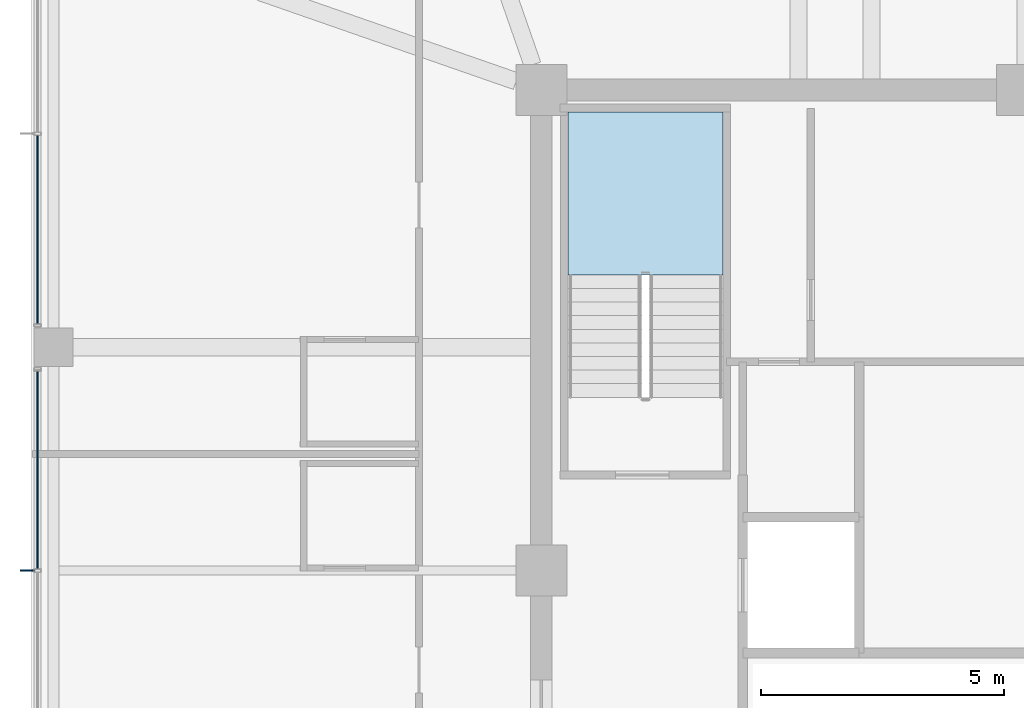
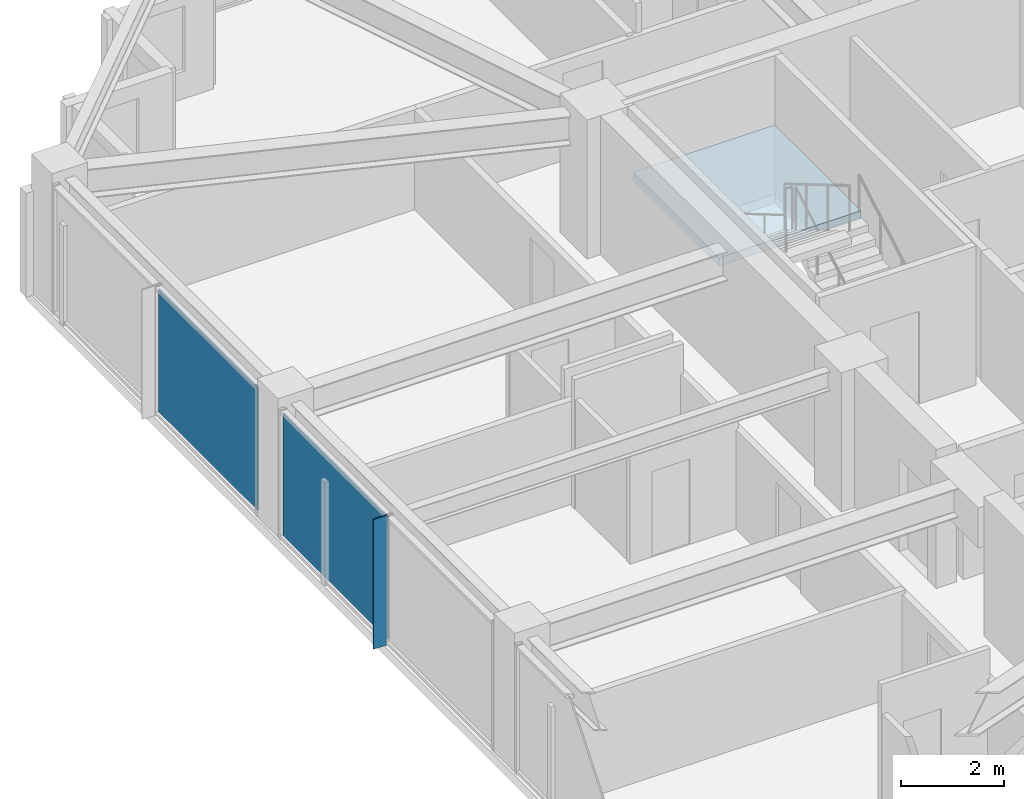
# One storey, part 25 of 36: 3 plates, 1 slab, 3 elements without a shape of their own.
"""IFC4 building model written with IfcOpenShell, lengths in metres."""

from ifc_helpers import new_model, si_unit, direction, frame, origin, origin_2d, place, context, subcontext, project, spatial, polyline, rectangle, outline, extrude, material, layer, layer_set, type_object, element, aggregate, save


model = new_model("IFC4")

# Units and contexts
model_context = context("Model", 3, precision=1e-05, world=origin(), true_north=direction((0.0, 1.0)))
body_context = subcontext(model_context, "Body", "Model", "MODEL_VIEW")
ifc_project = project(units=[si_unit("LENGTHUNIT", "METRE"), si_unit("AREAUNIT", "SQUARE_METRE"), si_unit("VOLUMEUNIT", "CUBIC_METRE"), si_unit("PLANEANGLEUNIT", "RADIAN"), si_unit("MASSUNIT", "GRAM", prefix="KILO")], contexts=[model_context])

# Site, building, storey
site_placement = place(None, origin())
site = spatial("IfcSite", under=ifc_project, at=site_placement, CompositionType="ELEMENT")
building_placement = place(site_placement, origin())
building = spatial("IfcBuilding", under=site, at=building_placement, Name="Kolvaren Belvedere", CompositionType="ELEMENT")
storey_placement = place(building_placement, frame((0.0, 0.0, 226.199951171875)))
storey = spatial("IfcBuildingStorey", under=building, at=storey_placement, Name="L66", CompositionType="ELEMENT", Elevation=226.199951171875)

# Curtain wall, plate
ifc_material_1 = material(Name="Anodised pale-metal aluminium AA 6063-T6", Category="aluminium")
curtain_wall_type = type_object("IfcCurtainWallType", Name="CW-Z5-HIGH", PredefinedType="NOTDEFINED", material=ifc_material_1)
curtain_wall_1_placement = place(storey_placement, origin())
curtain_wall_1 = element("IfcCurtainWall", 1, at=curtain_wall_1_placement, inside=storey, type_object=curtain_wall_type, Name="L66 Unitised Curtain Wall FCW-L66-W-B2", PredefinedType="NOTDEFINED")
ifc_material_2 = material(Name="Low-iron triple insulated glass", Category="glass")
ifc_layer_1 = layer(ifc_material_2, 0.028076171875)
ifc_layer_set_1 = layer_set([ifc_layer_1], Name="Low-iron triple insulated glass")
plate_type_1 = type_object("IfcPlateType", Name="CW-PNL-VIS28", PredefinedType="CURTAIN_PANEL", material=ifc_layer_set_1)
plate_1_placement = place(storey_placement, frame((-20.280029296875, 2.072509765625, 0.080078125), z_axis=(0.0, 0.0, 1.0), x_axis=(0.0, 1.0, 0.0)))
plate_1 = element("IfcPlate", 2, at=plate_1_placement, type_object=plate_type_1, Name="FCW-L66-W-B2 Vision Glazing Panel 2", PredefinedType="CURTAIN_PANEL", context=body_context, shape_type="SweptSolid", body=[
    extrude(rectangle(XDim=4.06494140625, YDim=0.028076171875, at=origin_2d()), origin(), (0.0, 0.0, 1.0), 2.919921875),
])
aggregate(curtain_wall_1, [plate_1])

curtain_wall_2_placement = place(storey_placement, origin())
curtain_wall_2 = element("IfcCurtainWall", 3, at=curtain_wall_2_placement, inside=storey, type_object=curtain_wall_type, Name="L66 Unitised Curtain Wall FCW-L66-W-B3", PredefinedType="NOTDEFINED")
plate_2_placement = place(storey_placement, frame((-20.280029296875, 7.027587890625, 0.080078125), z_axis=(0.0, 0.0, 1.0), x_axis=(0.0, 1.0, 0.0)))
plate_2 = element("IfcPlate", 4, at=plate_2_placement, type_object=plate_type_1, Name="FCW-L66-W-B3 Vision Glazing Panel 1", PredefinedType="CURTAIN_PANEL", context=body_context, shape_type="SweptSolid", body=[
    extrude(rectangle(XDim=3.864990234375, YDim=0.028076171875, at=origin_2d()), origin(), (0.0, 0.0, 1.0), 2.919921875),
])
aggregate(curtain_wall_2, [plate_2])

# Plate
ifc_material_3 = material(Name="Anodised pale-metal aluminium AA 6063-T6", Category="aluminium")
ifc_layer_2 = layer(ifc_material_3, 0.030029296875)
ifc_layer_set_2 = layer_set([ifc_layer_2], Name="Anodised pale-metal aluminium AA 6063-T6")
plate_type_2 = type_object("IfcPlateType", Name="FIN-VERT-300", PredefinedType="USERDEFINED", material=ifc_layer_set_2)
plate_3_placement = place(storey_placement, frame((-20.489990234375, 0.0, 0.0), z_axis=(0.0, 0.0, 1.0), x_axis=(1.0, 0.0, 0.0)))
element("IfcPlate", 5, at=plate_3_placement, inside=storey, type_object=plate_type_2, Name="L66 Pale-Metal Vertical Shading Fin FCW-L66-W-B2-1", ObjectType="VERTICAL FIN", PredefinedType="USERDEFINED", context=body_context, shape_type="SweptSolid", body=[
    extrude(rectangle(XDim=0.300048828125, YDim=0.030029296875, at=origin_2d()), origin(), (0.0, 0.0, 1.0), 3.080078125),
])

# Stair, slab
ifc_material_4 = material(Name="Concrete C50/60", Category="concrete")
stair_type = type_object("IfcStairType", Name="ST-CORE-1520", PredefinedType="HALF_TURN_STAIR", material=ifc_material_4)
stair_placement = place(storey_placement, origin())
stair = element("IfcStair", 6, at=stair_placement, inside=storey, type_object=stair_type, Name="L66 Protected Exit Stair ST-1", PredefinedType="HALF_TURN_STAIR")
ifc_material_5 = material(Name="Concrete C50/60", Category="concrete")
ifc_layer_3 = layer(ifc_material_5, 0.260009765625)
ifc_layer_set_3 = layer_set([ifc_layer_3], Name="Concrete C50/60")
slab_type = type_object("IfcSlabType", Name="SL-LAND-260", PredefinedType="LANDING", material=ifc_layer_set_3)
slab_placement = place(storey_placement, frame((0.0, 0.0, 1.449951171875)))
slab = element("IfcSlab", 7, at=slab_placement, type_object=slab_type, Name="ST-1 landing 1", PredefinedType="LANDING", context=body_context, shape_type="SweptSolid", body=[
    extrude(outline(polyline([(-6.159912109375, 6.090087890625), (-6.159912109375, 9.449951171875), (-9.35009765625, 9.449951171875), (-9.35009765625, 6.090087890625), (-6.159912109375, 6.090087890625)])), origin(), (0.0, 0.0, 1.0), 0.2001953125),
])
aggregate(stair, [slab])

save(model, "model.ifc")
